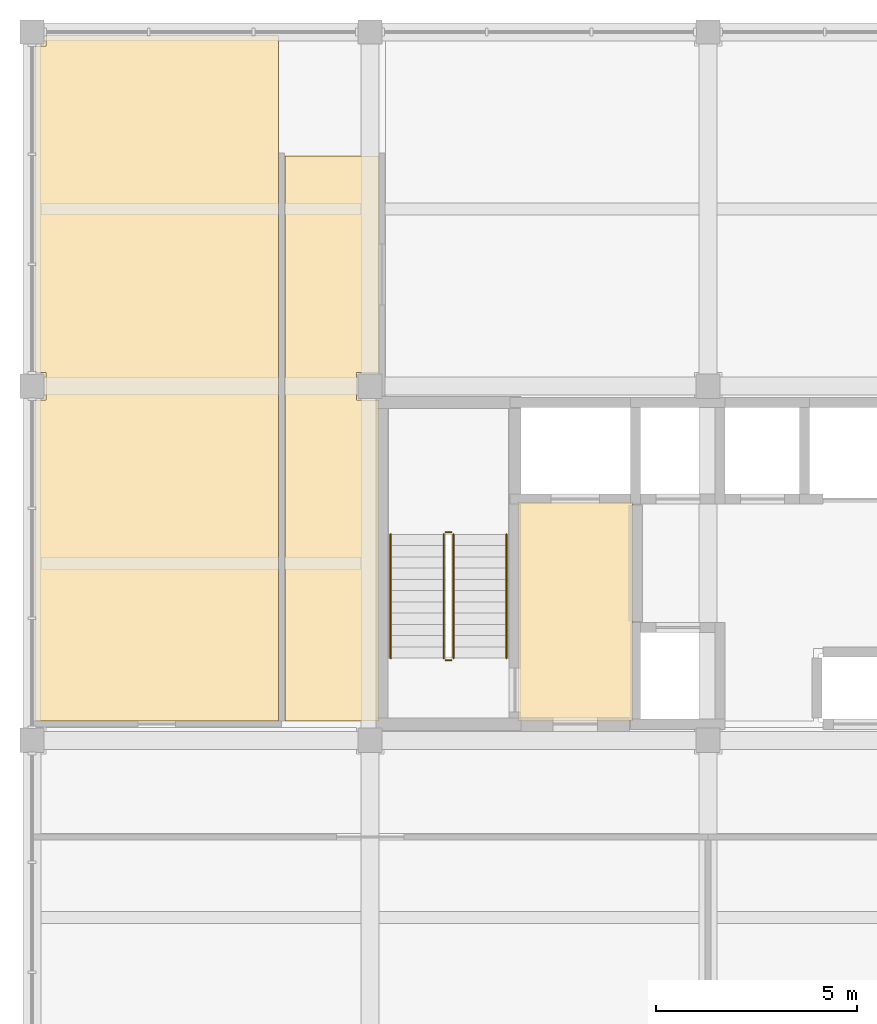
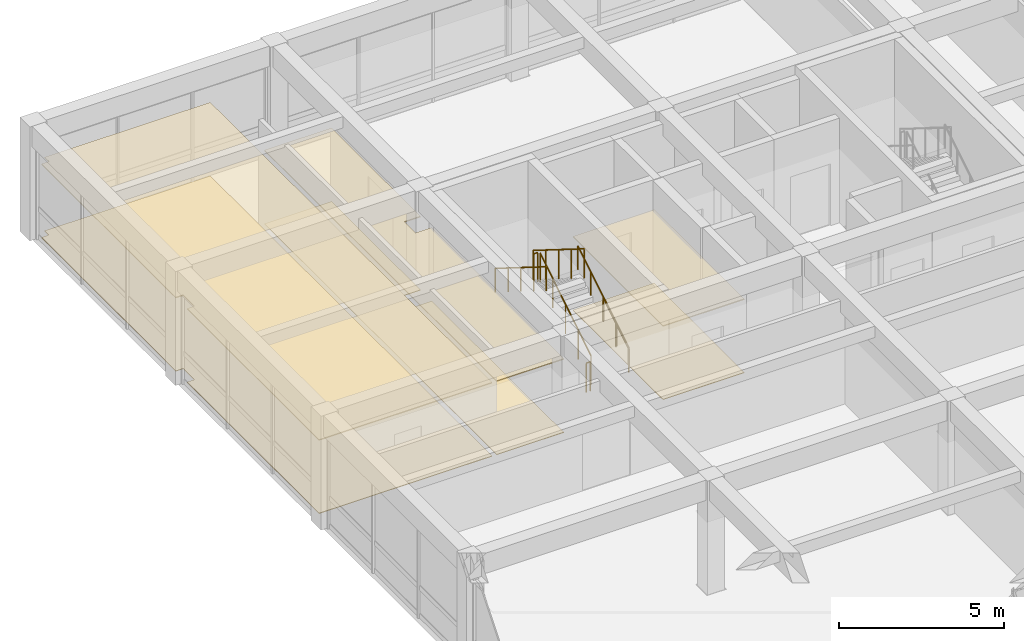
# One storey, part 12 of 14: 6 coverings, 6 railings.
"""IFC4 building model written with IfcOpenShell, lengths in metres."""

from ifc_helpers import new_model, si_unit, direction, frame, origin, origin_2d, place, context, subcontext, project, spatial, polyline, circle, outline, extrude, material, layer, layer_set, type_object, element, save


model = new_model("IFC4")

# Units and contexts
model_context = context("Model", 3, precision=1e-05, world=origin(), true_north=direction((0.0, 1.0)))
body_context = subcontext(model_context, "Body", "Model", "MODEL_VIEW")
ifc_project = project(units=[si_unit("LENGTHUNIT", "METRE"), si_unit("AREAUNIT", "SQUARE_METRE"), si_unit("VOLUMEUNIT", "CUBIC_METRE"), si_unit("PLANEANGLEUNIT", "RADIAN"), si_unit("MASSUNIT", "GRAM", prefix="KILO")], contexts=[model_context])

# Site, building, storey
site_placement = place(None, origin())
site = spatial("IfcSite", under=ifc_project, at=site_placement, CompositionType="ELEMENT")
building_placement = place(site_placement, origin())
building = spatial("IfcBuilding", under=site, at=building_placement, Name="Kemercrest Conservatory and Botanical Centre", CompositionType="ELEMENT")
storey_placement = place(building_placement, frame((0.0, 0.0, 63.800048828125)))
storey = spatial("IfcBuildingStorey", under=building, at=storey_placement, Name="L16", CompositionType="ELEMENT", Elevation=63.800048828125)

# Coverings
ifc_material_1 = material(Name="Perforated acoustic gypsum and mineral-fibre suspended ceiling", Category="gypsum")
ifc_layer_1 = layer(ifc_material_1, 0.034912109375)
ifc_layer_set_1 = layer_set([ifc_layer_1], Name="Perforated acoustic gypsum and mineral-fibre suspended ceiling")
covering_type_1 = type_object("IfcCoveringType", Name="CV-CLG035", PredefinedType="CEILING", material=ifc_layer_set_1)
covering_1_placement = place(storey_placement, frame((0.0, 0.0, 2.699951171875)))
element("IfcCovering", 1, at=covering_1_placement, inside=storey, type_object=covering_type_1, Name="Firefighting Lobby suspended acoustic ceiling", PredefinedType="CEILING", context=body_context, shape_type="SweptSolid", body=[
    extrude(outline(polyline([(154.47998046875, 105.280029296875), (157.320068359375, 105.280029296875), (157.320068359375, 110.719970703125), (154.47998046875, 110.719970703125), (154.47998046875, 105.280029296875)])), origin(), (0.0, 0.0, 1.0), 0.034912109375),
])
covering_2_placement = place(storey_placement, frame((0.0, 0.0, 2.699951171875)))
element("IfcCovering", 2, at=covering_2_placement, inside=storey, type_object=covering_type_1, Name="Botanical Reading Lounge suspended acoustic ceiling", PredefinedType="CEILING", context=body_context, shape_type="SweptSolid", body=[
    extrude(outline(polyline([(142.47998046875, 105.280029296875), (148.52001953125, 105.280029296875), (148.52001953125, 122.320068359375), (142.739990234375, 122.320068359375), (142.739990234375, 122.06005859375), (142.47998046875, 122.06005859375), (142.47998046875, 113.93994140625), (142.739990234375, 113.93994140625), (142.739990234375, 113.260009765625), (142.47998046875, 113.260009765625), (142.47998046875, 105.280029296875)])), origin(), (0.0, 0.0, 1.0), 0.034912109375),
])
covering_3_placement = place(storey_placement, frame((0.0, 0.0, 2.699951171875)))
element("IfcCovering", 3, at=covering_3_placement, inside=storey, type_object=covering_type_1, Name="North Core Lobby Branch suspended acoustic ceiling", PredefinedType="CEILING", context=body_context, shape_type="SweptSolid", body=[
    extrude(outline(polyline([(148.679931640625, 105.280029296875), (151.02001953125, 105.280029296875), (151.02001953125, 113.260009765625), (150.4599609375, 113.260009765625), (150.4599609375, 113.93994140625), (151.02001953125, 113.93994140625), (151.02001953125, 119.320068359375), (148.679931640625, 119.320068359375), (148.679931640625, 105.280029296875)])), origin(), (0.0, 0.0, 1.0), 0.034912109375),
])
ifc_material_2 = material(Name="Polished limestone terrazzo and seamless laboratory epoxy flooring", Category="masonry")
ifc_layer_2 = layer(ifc_material_2, 0.02001953125)
ifc_layer_set_2 = layer_set([ifc_layer_2], Name="Polished limestone terrazzo and seamless laboratory epoxy flooring")
covering_type_2 = type_object("IfcCoveringType", Name="CV-FLR020", PredefinedType="FLOORING", material=ifc_layer_set_2)
covering_4_placement = place(storey_placement, origin())
element("IfcCovering", 4, at=covering_4_placement, inside=storey, type_object=covering_type_2, Name="Firefighting Lobby floor finish", PredefinedType="FLOORING", context=body_context, shape_type="SweptSolid", body=[
    extrude(outline(polyline([(154.47998046875, 105.280029296875), (157.320068359375, 105.280029296875), (157.320068359375, 110.719970703125), (154.47998046875, 110.719970703125), (154.47998046875, 105.280029296875)])), origin(), (0.0, 0.0, 1.0), 0.02001953125),
])
covering_5_placement = place(storey_placement, origin())
element("IfcCovering", 5, at=covering_5_placement, inside=storey, type_object=covering_type_2, Name="Botanical Reading Lounge floor finish", PredefinedType="FLOORING", context=body_context, shape_type="SweptSolid", body=[
    extrude(outline(polyline([(142.47998046875, 105.280029296875), (148.52001953125, 105.280029296875), (148.52001953125, 122.320068359375), (142.739990234375, 122.320068359375), (142.739990234375, 122.06005859375), (142.47998046875, 122.06005859375), (142.47998046875, 113.93994140625), (142.739990234375, 113.93994140625), (142.739990234375, 113.260009765625), (142.47998046875, 113.260009765625), (142.47998046875, 105.280029296875)])), origin(), (0.0, 0.0, 1.0), 0.02001953125),
])
covering_6_placement = place(storey_placement, origin())
element("IfcCovering", 6, at=covering_6_placement, inside=storey, type_object=covering_type_2, Name="North Core Lobby Branch floor finish", PredefinedType="FLOORING", context=body_context, shape_type="SweptSolid", body=[
    extrude(outline(polyline([(148.679931640625, 105.280029296875), (151.02001953125, 105.280029296875), (151.02001953125, 113.260009765625), (150.4599609375, 113.260009765625), (150.4599609375, 113.93994140625), (151.02001953125, 113.93994140625), (151.02001953125, 119.320068359375), (148.679931640625, 119.320068359375), (148.679931640625, 105.280029296875)])), origin(), (0.0, 0.0, 1.0), 0.02001953125),
])

# Railings
ifc_material_3 = material(Name="Painted galvanized steel tubular stair guardrail", Category="steel")
railing_type_1 = type_object("IfcRailingType", Name="GR-STR110", PredefinedType="GUARDRAIL", material=ifc_material_3)
railing_1_placement = place(storey_placement, frame((152.8701171875, 106.840087890625, 0.175048828125)))
element("IfcRailing", 7, at=railing_1_placement, inside=storey, type_object=railing_type_1, Name="L16 ST-V4A stair guard 1", PredefinedType="GUARDRAIL", context=body_context, shape_type="SweptSolid", body=[
    extrude(circle(Radius=0.02392578125, at=origin_2d()), frame((0.0, 0.0, 1.076171875), z_axis=(0.0, 0.848009633417, 0.529980812513), x_axis=(-1.0, 0.0, 0.0)), (0.0, 0.0, 1.0), 3.6318359375),
    extrude(circle(Radius=0.02099609375, at=origin_2d()), origin(), (0.0, 0.0, 1.0), 1.052001953125),
    extrude(circle(Radius=0.02099609375, at=origin_2d()), frame((0.0, 0.77001953125, 0.481201171875)), (0.0, 0.0, 1.0), 1.052001953125),
    extrude(circle(Radius=0.02099609375, at=origin_2d()), frame((0.0, 1.5400390625, 0.96240234375)), (0.0, 0.0, 1.0), 1.052001953125),
    extrude(circle(Radius=0.02099609375, at=origin_2d()), frame((0.0, 2.309814453125, 1.443603515625)), (0.0, 0.0, 1.0), 1.052001953125),
    extrude(circle(Radius=0.02099609375, at=origin_2d()), frame((0.0, 3.079833984375, 1.9248046875)), (0.0, 0.0, 1.0), 1.052001953125),
])
railing_2_placement = place(storey_placement, frame((152.820068359375, 109.969970703125, 2.099853515625)))
element("IfcRailing", 8, at=railing_2_placement, inside=storey, type_object=railing_type_1, Name="L16 ST-V4A stair guard 2", PredefinedType="GUARDRAIL", context=body_context, shape_type="SweptSolid", body=[
    extrude(circle(Radius=0.02392578125, at=origin_2d()), frame((0.0, 0.0, 1.076171875), z_axis=(-1.0, 0.0, 0.0), x_axis=(0.0, -1.0, 0.0)), (0.0, 0.0, 1.0), 0.14013671875),
    extrude(circle(Radius=0.02099609375, at=origin_2d()), origin(), (0.0, 0.0, 1.0), 1.052001953125),
    extrude(circle(Radius=0.02099609375, at=origin_2d()), frame((-0.14013671875, 0.0, 0.0)), (0.0, 0.0, 1.0), 1.052001953125),
])
railing_3_placement = place(storey_placement, frame((152.6298828125, 109.919921875, 2.27490234375)))
element("IfcRailing", 9, at=railing_3_placement, inside=storey, type_object=railing_type_1, Name="L16 ST-V4A stair guard 3", PredefinedType="GUARDRAIL", context=body_context, shape_type="SweptSolid", body=[
    extrude(circle(Radius=0.02392578125, at=origin_2d()), frame((0.0, 0.0, 1.076171875), z_axis=(0.0, -0.847979421464, 0.530029150871), x_axis=(1.0, 0.0, 0.0)), (0.0, 0.0, 1.0), 3.632080078125),
    extrude(circle(Radius=0.02099609375, at=origin_2d()), origin(), (0.0, 0.0, 1.0), 1.052001953125),
    extrude(circle(Radius=0.02099609375, at=origin_2d()), frame((0.0, -0.77001953125, 0.481201171875)), (0.0, 0.0, 1.0), 1.052001953125),
    extrude(circle(Radius=0.02099609375, at=origin_2d()), frame((0.0, -1.5400390625, 0.96240234375)), (0.0, 0.0, 1.0), 1.052001953125),
    extrude(circle(Radius=0.02099609375, at=origin_2d()), frame((0.0, -2.309814453125, 1.44384765625)), (0.0, 0.0, 1.0), 1.052001953125),
    extrude(circle(Radius=0.02099609375, at=origin_2d()), frame((0.0, -3.079833984375, 1.925048828125)), (0.0, 0.0, 1.0), 1.052001953125),
])
railing_4_placement = place(storey_placement, frame((152.820068359375, 106.7900390625, 0.0)))
element("IfcRailing", 10, at=railing_4_placement, inside=storey, type_object=railing_type_1, Name="L16 ST-V4A stair guard 4", PredefinedType="GUARDRAIL", context=body_context, shape_type="SweptSolid", body=[
    extrude(circle(Radius=0.02392578125, at=origin_2d()), frame((0.0, 0.0, 1.076171875), z_axis=(-1.0, 0.0, 0.0), x_axis=(0.0, -1.0, 0.0)), (0.0, 0.0, 1.0), 0.14013671875),
    extrude(circle(Radius=0.02099609375, at=origin_2d()), origin(), (0.0, 0.0, 1.0), 1.052001953125),
    extrude(circle(Radius=0.02099609375, at=origin_2d()), frame((-0.14013671875, 0.0, 0.0)), (0.0, 0.0, 1.0), 1.052001953125),
])
ifc_material_4 = material(Name="Brushed stainless steel wall-mounted handrail", Category="steel")
railing_type_2 = type_object("IfcRailingType", Name="HR-STR090", PredefinedType="HANDRAIL", material=ifc_material_4)
railing_5_placement = place(storey_placement, frame((154.18994140625, 106.840087890625, 0.175048828125)))
element("IfcRailing", 11, at=railing_5_placement, inside=storey, type_object=railing_type_2, Name="L16 ST-V4A stair handrail 1", PredefinedType="HANDRAIL", context=body_context, shape_type="SweptSolid", body=[
    extrude(circle(Radius=0.02392578125, at=origin_2d()), frame((0.0, 0.0, 0.8759765625), z_axis=(0.0, 0.848009633417, 0.529980812513), x_axis=(-1.0, 0.0, 0.0)), (0.0, 0.0, 1.0), 3.6318359375),
    extrude(circle(Radius=0.02099609375, at=origin_2d()), origin(), (0.0, 0.0, 1.0), 0.851806640625),
    extrude(circle(Radius=0.02099609375, at=origin_2d()), frame((0.0, 0.77001953125, 0.481201171875)), (0.0, 0.0, 1.0), 0.851806640625),
    extrude(circle(Radius=0.02099609375, at=origin_2d()), frame((0.0, 1.5400390625, 0.96240234375)), (0.0, 0.0, 1.0), 0.851806640625),
    extrude(circle(Radius=0.02099609375, at=origin_2d()), frame((0.0, 2.309814453125, 1.443603515625)), (0.0, 0.0, 1.0), 0.851806640625),
    extrude(circle(Radius=0.02099609375, at=origin_2d()), frame((0.0, 3.079833984375, 1.9248046875)), (0.0, 0.0, 1.0), 0.851806640625),
])
railing_6_placement = place(storey_placement, frame((151.31005859375, 109.919921875, 2.27490234375)))
element("IfcRailing", 12, at=railing_6_placement, inside=storey, type_object=railing_type_2, Name="L16 ST-V4A stair handrail 2", PredefinedType="HANDRAIL", context=body_context, shape_type="SweptSolid", body=[
    extrude(circle(Radius=0.02392578125, at=origin_2d()), frame((0.0, 0.0, 0.8759765625), z_axis=(0.0, -0.847979421464, 0.530029150871), x_axis=(1.0, 0.0, 0.0)), (0.0, 0.0, 1.0), 3.632080078125),
    extrude(circle(Radius=0.02099609375, at=origin_2d()), origin(), (0.0, 0.0, 1.0), 0.851806640625),
    extrude(circle(Radius=0.02099609375, at=origin_2d()), frame((0.0, -0.77001953125, 0.481201171875)), (0.0, 0.0, 1.0), 0.851806640625),
    extrude(circle(Radius=0.02099609375, at=origin_2d()), frame((0.0, -1.5400390625, 0.96240234375)), (0.0, 0.0, 1.0), 0.851806640625),
    extrude(circle(Radius=0.02099609375, at=origin_2d()), frame((0.0, -2.309814453125, 1.44384765625)), (0.0, 0.0, 1.0), 0.851806640625),
    extrude(circle(Radius=0.02099609375, at=origin_2d()), frame((0.0, -3.079833984375, 1.925048828125)), (0.0, 0.0, 1.0), 0.851806640625),
])

save(model, "model.ifc")
